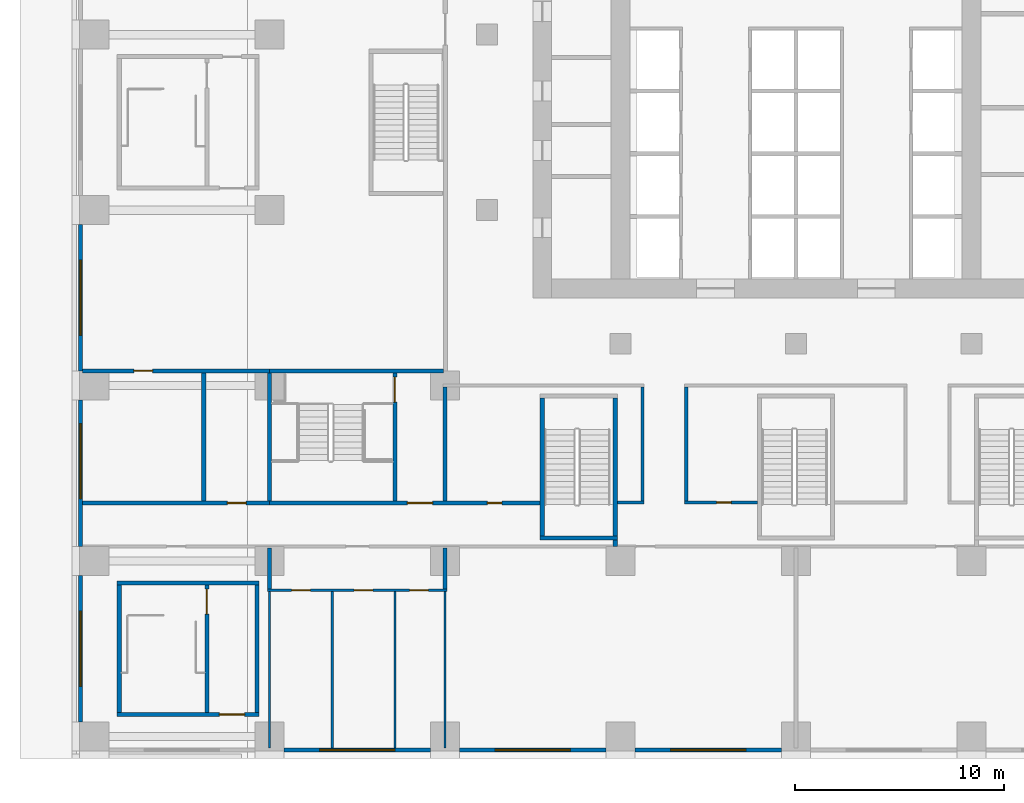
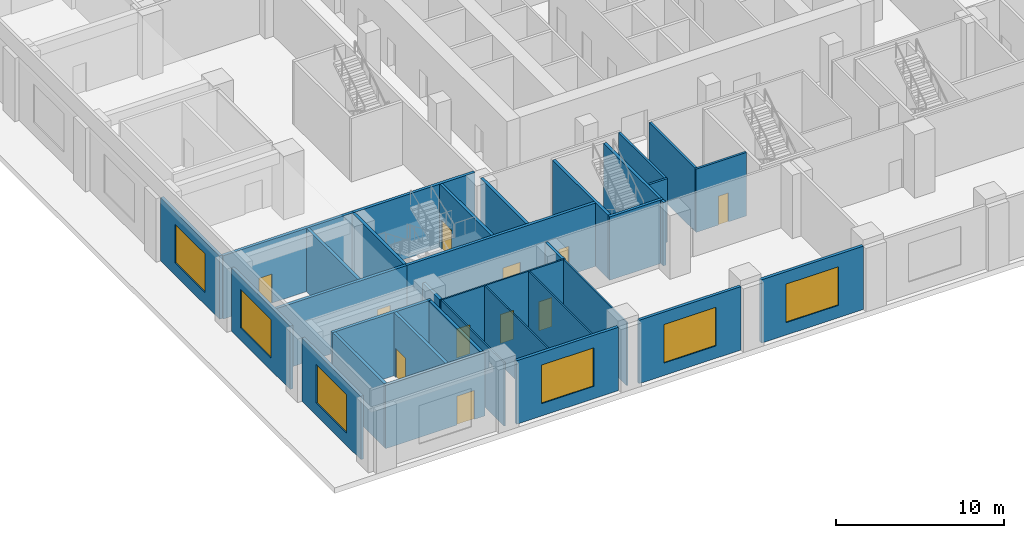
# One storey, part 8 of 29: 33 walls, 11 doors, 6 windows, 17 openings.
"""IFC4 building model written with IfcOpenShell, lengths in metres."""

import ifcopenshell
import ifcopenshell.guid

model = None  # the IFC model being written
_history = None  # IfcOwnerHistory: only IFC2X3 demands one
_inside = {}  # id of a spatial element -> (the spatial element, [elements in it])
_under = {}  # id of a project, library or spatial element -> (it, [spatial elements below it])
_declared = {}  # id of a project -> (the project, [libraries it declares])
_typed = {}  # id of a type object -> (the type object, [elements of that type])
_made_of = {}  # id of a material, layer set ... -> (it, [elements and type objects made of it])


def new_model(schema):
    """Start an empty IFC model of exactly this schema.

    Asked for "IFC4X3", IfcOpenShell would pick the latest addendum, in which some entities
    have other attributes; the version numbers below select the first issue.
    IFC2X3 requires an IfcOwnerHistory on every rooted entity: one is made here for all.
    """
    global model, _history
    if schema == "IFC4X3":
        model = ifcopenshell.file(schema_version=(4, 3, 0, 0))
    else:
        model = ifcopenshell.file(schema=schema)
    _inside.clear()
    _under.clear()
    _declared.clear()
    _typed.clear()
    _made_of.clear()
    _history = None
    if model.schema == "IFC2X3":
        org = make("IfcOrganization", Name="unknown")
        user = make(
            "IfcPersonAndOrganization",
            ThePerson=make("IfcPerson", FamilyName="unknown"),
            TheOrganization=org,
        )
        app = make(
            "IfcApplication",
            ApplicationDeveloper=org,
            Version="unknown",
            ApplicationFullName="unknown",
            ApplicationIdentifier="unknown",
        )
        _history = make(
            "IfcOwnerHistory",
            OwningUser=user,
            OwningApplication=app,
            ChangeAction="ADDED",
            CreationDate=0,
        )
    return model


def make(cls, **values):
    """One entity of the class cls with the attributes given. An attribute that is None is left unset."""
    return model.create_entity(
        cls, **{name: value for name, value in values.items() if value is not None}
    )


def rooted(cls, **values):
    """An entity with a GlobalId (a new one), such as an element, a storey or a relation."""
    return make(cls, GlobalId=ifcopenshell.guid.new(), OwnerHistory=_history, **values)


def si_unit(unit_type, name, prefix=None):
    """IfcSIUnit, for example si_unit("LENGTHUNIT", "METRE", prefix="MILLI")."""
    return make("IfcSIUnit", UnitType=unit_type, Prefix=prefix, Name=name)


def assignment(units):
    """IfcUnitAssignment: the units of a project."""
    return None if units is None else make("IfcUnitAssignment", Units=units)


def point(xyz):
    """IfcCartesianPoint."""
    return None if xyz is None else make("IfcCartesianPoint", Coordinates=xyz)


def direction(xyz):
    """IfcDirection."""
    return None if xyz is None else make("IfcDirection", DirectionRatios=xyz)


def frame(location, z_axis=None, x_axis=None):
    """IfcAxis2Placement3D, a coordinate frame: its origin and axes. An axis left out is left unset."""
    return make(
        "IfcAxis2Placement3D",
        Location=point(location),
        Axis=direction(z_axis),
        RefDirection=direction(x_axis),
    )


def frame_2d(location, x_axis=None):
    """IfcAxis2Placement2D, a coordinate frame in the plane: its origin and x axis."""
    return make(
        "IfcAxis2Placement2D", Location=point(location), RefDirection=direction(x_axis)
    )


def origin():
    """The frame at (0, 0, 0) with its axes left unset."""
    return frame((0.0, 0.0, 0.0))


def place(relative_to, where):
    """IfcLocalPlacement: puts the frame where relative to a parent placement (None: the world)."""
    return make(
        "IfcLocalPlacement", PlacementRelTo=relative_to, RelativePlacement=where
    )


def context(
    kind, dimensions, precision=None, world=None, true_north=None, identifier=None
):
    """IfcGeometricRepresentationContext, for example the 3D "Model" context."""
    return make(
        "IfcGeometricRepresentationContext",
        ContextIdentifier=identifier,
        ContextType=kind,
        CoordinateSpaceDimension=dimensions,
        Precision=precision,
        WorldCoordinateSystem=world,
        TrueNorth=true_north,
    )


def subcontext(parent, identifier, kind, view, scale=None):
    """IfcGeometricRepresentationSubContext, for example "Body" below "Model"."""
    return make(
        "IfcGeometricRepresentationSubContext",
        ContextIdentifier=identifier,
        ContextType=kind,
        ParentContext=parent,
        TargetScale=scale,
        TargetView=view,
    )


def project(units=None, contexts=None):
    """IfcProject with its units and contexts."""
    return rooted(
        "IfcProject",
        Name="project",
        RepresentationContexts=contexts,
        UnitsInContext=assignment(units),
    )


def spatial(cls, under=None, at=None, **own):
    """A site, building, storey or space (cls), placed at a placement, below another one or the project."""
    s = rooted(cls, ObjectPlacement=at, **own)
    if under is not None:
        _under.setdefault(under.id(), (under, []))[1].append(s)
    return s


def profile(cls, at=None, kind="AREA", **sizes):
    """A parametric profile (cls). Its sizes go by their IFC names, for example OverallWidth=200.0."""
    return make(cls, ProfileType=kind, Position=at, **sizes)


def rectangle(**sizes):
    """IfcRectangleProfileDef."""
    return profile("IfcRectangleProfileDef", **sizes)


def extrude(swept, where, along, depth):
    """IfcExtrudedAreaSolid: the profile swept, set in the frame where, extruded along a direction by depth."""
    return make(
        "IfcExtrudedAreaSolid",
        SweptArea=swept,
        Position=where,
        ExtrudedDirection=direction(along),
        Depth=depth,
    )


def shape(context_of_items, identifier, shape_type, items):
    """IfcShapeRepresentation: the items that make up one representation, for example the "Body"."""
    return make(
        "IfcShapeRepresentation",
        ContextOfItems=context_of_items,
        RepresentationIdentifier=identifier,
        RepresentationType=shape_type,
        Items=items,
    )


def material(Name=None, Category=None):
    """IfcMaterial."""
    return make("IfcMaterial", Name=Name, Category=Category)


def layer(
    of_material, thickness, ventilated=None, Name=None, Category=None, Priority=None
):
    """IfcMaterialLayer: one layer of a wall or slab, of a material (None: an air gap)."""
    return make(
        "IfcMaterialLayer",
        Material=of_material,
        LayerThickness=thickness,
        IsVentilated=ventilated,
        Name=Name,
        Category=Category,
        Priority=Priority,
    )


def layer_set(layers, Name=None):
    """IfcMaterialLayerSet."""
    return make("IfcMaterialLayerSet", MaterialLayers=layers, LayerSetName=Name)


def made_of(thing, what):
    """Note that an element or type object is made of a material, layer set ...; save() writes the relation."""
    if what is not None:
        _made_of.setdefault(what.id(), (what, []))[1].append(thing)
    return thing


def type_object(cls, material=None, **own):
    """A type object (cls), such as IfcWallType, which elements share."""
    return made_of(rooted(cls, **own), material)


def element(
    cls,
    number,
    at=None,
    inside=None,
    cuts=None,
    type_object=None,
    material=None,
    context=None,
    identifier="Body",
    shape_type=None,
    held_by="IfcProductDefinitionShape",
    body=None,
    shapes=None,
    **own,
):
    """One element of the class cls, such as IfcWall. Its Tag is "e" and its number.

    at: its placement. inside: the storey or other place that contains it. cuts: it is an
    opening in that element (IfcRelVoidsElement). A single representation is given by context,
    identifier, shape_type and body (its items); several are given by shapes. held_by: the class
    of the entity that holds the representations. save() writes the other relations.
    """
    e = rooted(cls, Tag="e%d" % number, ObjectPlacement=at, **own)
    if body is not None:
        shapes = [shape(context, identifier, shape_type, body)]
    if shapes is not None:
        e.Representation = make(held_by, Representations=shapes)
    if inside is not None:
        _inside.setdefault(inside.id(), (inside, []))[1].append(e)
    if cuts is not None:
        rooted(
            "IfcRelVoidsElement", RelatingBuildingElement=cuts, RelatedOpeningElement=e
        )
    if type_object is not None:
        _typed.setdefault(type_object.id(), (type_object, []))[1].append(e)
    return made_of(e, material)


def fill(opening, filler):
    """IfcRelFillsElement: the door or window that sits in an opening."""
    return rooted(
        "IfcRelFillsElement",
        RelatingOpeningElement=opening,
        RelatedBuildingElement=filler,
    )


def aggregate(whole, parts):
    """IfcRelAggregates: a whole, such as a stair, and the parts it consists of."""
    return rooted("IfcRelAggregates", RelatingObject=whole, RelatedObjects=parts)


def save(model, path):
    """Write the relations noted so far, then the file.

    IfcRelAggregates (storeys below a building ...), IfcRelContainedInSpatialStructure (elements
    in a storey), IfcRelDefinesByType, IfcRelAssociatesMaterial and IfcRelDeclares: one each for
    every whole, place, type object, material and project.
    """
    for whole, parts in _under.values():
        aggregate(whole, parts)
    for where, things in _inside.values():
        rooted(
            "IfcRelContainedInSpatialStructure",
            RelatedElements=things,
            RelatingStructure=where,
        )
    for kind, things in _typed.values():
        rooted("IfcRelDefinesByType", RelatedObjects=things, RelatingType=kind)
    for what, things in _made_of.values():
        rooted("IfcRelAssociatesMaterial", RelatedObjects=things, RelatingMaterial=what)
    for by, libraries in _declared.values():
        rooted("IfcRelDeclares", RelatingContext=by, RelatedDefinitions=libraries)
    model.write(path)


model = new_model("IFC4")

# Units and contexts
model_context = context("Model", 3, precision=1e-05, world=origin(), true_north=direction((0.0, 1.0)))
body_context = subcontext(model_context, "Body", "Model", "MODEL_VIEW")
ifc_project = project(units=[si_unit("LENGTHUNIT", "METRE"), si_unit("AREAUNIT", "SQUARE_METRE"), si_unit("VOLUMEUNIT", "CUBIC_METRE"), si_unit("PLANEANGLEUNIT", "RADIAN"), si_unit("MASSUNIT", "GRAM", prefix="KILO")], contexts=[model_context])

# Site, building, storey
site_placement = place(None, origin())
site = spatial("IfcSite", under=ifc_project, at=site_placement, CompositionType="ELEMENT")
building_placement = place(site_placement, origin())
building = spatial("IfcBuilding", under=site, at=building_placement, Name="Vermilion Ogive Tower", CompositionType="ELEMENT")
storey_placement = place(building_placement, frame((0.0, 0.0, 7.5)))
storey = spatial("IfcBuildingStorey", under=building, at=storey_placement, Name="L01", CompositionType="ELEMENT", Elevation=7.5)

# Wall, openings, doors
ifc_material_1 = material(Name="Gypsum board partition on steel studs", Category="steel")
ifc_layer_1 = layer(ifc_material_1, 0.10009765625)
ifc_layer_set_1 = layer_set([ifc_layer_1], Name="Partition 100 bath")
wall_type_1 = type_object("IfcWallType", Name="Partition 100 bath", PredefinedType="PARTITIONING", material=ifc_layer_set_1)
wall_1_placement = place(storey_placement, frame((-25.300048828125, -22.39990234375, 0.0), z_axis=(0.0, 0.0, 1.0), x_axis=(1.0, 0.0, 0.0)))
wall_1 = element("IfcWall", 1, at=wall_1_placement, inside=storey, type_object=wall_type_1, Name="L01-FS-W-W003", PredefinedType="PARTITIONING", context=body_context, shape_type="SweptSolid", body=[
    extrude(rectangle(XDim=8.60009765625, YDim=0.10009765625, at=frame_2d((4.300048828125, 0.0))), origin(), (0.0, 0.0, 1.0), 4.60009765625),
])
opening_1_placement = place(wall_1_placement, frame((1.150146484375, 0.0, 0.0)))
opening_1 = element("IfcOpeningElement", 2, at=opening_1_placement, cuts=wall_1, Name="Opening L01S032", PredefinedType="OPENING", context=body_context, shape_type="SweptSolid", body=[
    extrude(rectangle(XDim=0.89990234375, YDim=2.10009765625, at=frame_2d((0.449951171875, 1.050048828125))), frame((0.0, 0.06005859375, 0.0), z_axis=(0.0, -1.0, 0.0), x_axis=(1.0, 0.0, 0.0)), (0.0, 0.0, 1.0), 0.1201171875),
])
opening_2_placement = place(wall_1_placement, frame((4.150146484375, 0.0, 0.0)))
opening_2 = element("IfcOpeningElement", 3, at=opening_2_placement, cuts=wall_1, Name="Opening L01S033", PredefinedType="OPENING", context=body_context, shape_type="SweptSolid", body=[
    extrude(rectangle(XDim=0.89990234375, YDim=2.10009765625, at=frame_2d((0.449951171875, 1.050048828125))), frame((0.0, 0.06005859375, 0.0), z_axis=(0.0, -1.0, 0.0), x_axis=(1.0, 0.0, 0.0)), (0.0, 0.0, 1.0), 0.1201171875),
])
opening_3_placement = place(wall_1_placement, frame((6.800048828125, 0.0, 0.0)))
opening_3 = element("IfcOpeningElement", 4, at=opening_3_placement, cuts=wall_1, Name="Opening L01S034", PredefinedType="OPENING", context=body_context, shape_type="SweptSolid", body=[
    extrude(rectangle(XDim=0.89990234375, YDim=2.10009765625, at=frame_2d((0.449951171875, 1.050048828125))), frame((0.0, 0.06005859375, 0.0), z_axis=(0.0, -1.0, 0.0), x_axis=(1.0, 0.0, 0.0)), (0.0, 0.0, 1.0), 0.1201171875),
])
ifc_material_2 = material(Name="Timber door leaf", Category="wood")
door_type_1 = type_object("IfcDoorType", Name="Room door 900 x 2100 FD30", OperationType="SINGLE_SWING_LEFT", PredefinedType="DOOR", material=ifc_material_2)
door_1_placement = place(opening_1_placement, origin())
door_1 = element("IfcDoor", 5, at=door_1_placement, inside=storey, type_object=door_type_1, Name="L01-FS-D-D032", OperationType="SINGLE_SWING_RIGHT", OverallHeight=2.10009765625, OverallWidth=0.89990234375, PredefinedType="DOOR", context=body_context, shape_type="SweptSolid", body=[
    extrude(rectangle(XDim=0.89990234375, YDim=2.10009765625, at=frame_2d((0.449951171875, 1.050048828125))), frame((0.0, 0.02490234375, 0.0), z_axis=(0.0, -1.0, 0.0), x_axis=(1.0, 0.0, 0.0)), (0.0, 0.0, 1.0), 0.050048828125),
])
fill(opening_1, door_1)
door_2_placement = place(opening_2_placement, origin())
door_2 = element("IfcDoor", 6, at=door_2_placement, inside=storey, type_object=door_type_1, Name="L01-FS-D-D033", OperationType="SINGLE_SWING_RIGHT", OverallHeight=2.10009765625, OverallWidth=0.89990234375, PredefinedType="DOOR", context=body_context, shape_type="SweptSolid", body=[
    extrude(rectangle(XDim=0.89990234375, YDim=2.10009765625, at=frame_2d((0.449951171875, 1.050048828125))), frame((0.0, 0.02490234375, 0.0), z_axis=(0.0, -1.0, 0.0), x_axis=(1.0, 0.0, 0.0)), (0.0, 0.0, 1.0), 0.050048828125),
])
fill(opening_2, door_2)
door_3_placement = place(opening_3_placement, origin())
door_3 = element("IfcDoor", 7, at=door_3_placement, inside=storey, type_object=door_type_1, Name="L01-FS-D-D034", OperationType="SINGLE_SWING_RIGHT", OverallHeight=2.10009765625, OverallWidth=0.89990234375, PredefinedType="DOOR", context=body_context, shape_type="SweptSolid", body=[
    extrude(rectangle(XDim=0.89990234375, YDim=2.10009765625, at=frame_2d((0.449951171875, 1.050048828125))), frame((0.0, 0.02490234375, 0.0), z_axis=(0.0, -1.0, 0.0), x_axis=(1.0, 0.0, 0.0)), (0.0, 0.0, 1.0), 0.050048828125),
])
fill(opening_3, door_3)

# Walls
for number, where, z_axis, x_axis, name in (
    (8, (-25.199951171875, -29.949951171875, 0.0), (0.0, 0.0, 1.0), (0.0, 1.0, 0.0), "L01-FS-W-W050"),
    (9, (-22.199951171875, -29.949951171875, 0.0), (0.0, 0.0, 1.0), (0.0, 1.0, 0.0), "L01-FS-W-W053"),
    (10, (-19.199951171875, -29.949951171875, 0.0), (0.0, 0.0, 1.0), (0.0, 1.0, 0.0), "L01-FS-W-W057"),
    (11, (-16.800048828125, -29.949951171875, 0.0), (0.0, 0.0, 1.0), (0.0, 1.0, 0.0), "L01-FS-W-W059"),
):
    element("IfcWall", number, at=place(storey_placement, frame(where, z_axis=z_axis, x_axis=x_axis)), inside=storey, type_object=wall_type_1, Name=name, PredefinedType="PARTITIONING", context=body_context, shape_type="SweptSolid", body=[
        extrude(rectangle(XDim=7.5, YDim=0.10009765625, at=frame_2d((3.75, 0.0))), origin(), (0.0, 0.0, 1.0), 4.60009765625),
    ])
ifc_material_3 = material(Name="Gypsum board partition on steel studs", Category="steel")
ifc_layer_2 = layer(ifc_material_3, 0.14990234375)
ifc_layer_set_2 = layer_set([ifc_layer_2], Name="Partition 150 corridor")
wall_type_2 = type_object("IfcWallType", Name="Partition 150 corridor", PredefinedType="PARTITIONING", material=ifc_layer_set_2)
wall_2_placement = place(storey_placement, frame((-8.550048828125, -18.199951171875, 0.0), z_axis=(0.0, 0.0, 1.0), x_axis=(1.0, 0.0, 0.0)))
element("IfcWall", 12, at=wall_2_placement, inside=storey, type_object=wall_type_2, Name="L01-FS-W-W012", PredefinedType="PARTITIONING", context=body_context, shape_type="SweptSolid", body=[
    extrude(rectangle(XDim=1.275146484375, YDim=0.14990234375, at=frame_2d((0.6376953125, 0.0))), origin(), (0.0, 0.0, 1.0), 4.60009765625),
])

# Wall, opening, door
wall_3_placement = place(storey_placement, frame((-5.324951171875, -18.199951171875, 0.0), z_axis=(0.0, 0.0, 1.0), x_axis=(1.0, 0.0, 0.0)))
wall_3 = element("IfcWall", 13, at=wall_3_placement, inside=storey, type_object=wall_type_2, Name="L01-FS-W-W013", PredefinedType="PARTITIONING", context=body_context, shape_type="SweptSolid", body=[
    extrude(rectangle(XDim=3.474853515625, YDim=0.14990234375, at=frame_2d((1.7373046875, 0.0))), origin(), (0.0, 0.0, 1.0), 4.60009765625),
])
opening_4_placement = place(wall_3_placement, frame((1.52490234375, 0.0, 0.0)))
opening_4 = element("IfcOpeningElement", 14, at=opening_4_placement, cuts=wall_3, Name="Opening L01S062", PredefinedType="OPENING", context=body_context, shape_type="SweptSolid", body=[
    extrude(rectangle(XDim=0.699951171875, YDim=2.10009765625, at=frame_2d((0.35009765625, 1.050048828125))), frame((0.0, 0.0849609375, 0.0), z_axis=(0.0, -1.0, 0.0), x_axis=(1.0, 0.0, 0.0)), (0.0, 0.0, 1.0), 0.169921875),
])
ifc_material_4 = material(Name="Timber door leaf", Category="wood")
door_type_2 = type_object("IfcDoorType", Name="Room door 700 x 2100 FD30", OperationType="SINGLE_SWING_LEFT", PredefinedType="DOOR", material=ifc_material_4)
door_4_placement = place(opening_4_placement, origin())
door_4 = element("IfcDoor", 15, at=door_4_placement, inside=storey, type_object=door_type_2, Name="L01-FS-D-D062", OperationType="SINGLE_SWING_LEFT", OverallHeight=2.10009765625, OverallWidth=0.699951171875, PredefinedType="DOOR", context=body_context, shape_type="SweptSolid", body=[
    extrude(rectangle(XDim=0.699951171875, YDim=2.10009765625, at=frame_2d((0.35009765625, 1.050048828125))), frame((0.0, 0.02490234375, 0.0), z_axis=(0.0, -1.0, 0.0), x_axis=(1.0, 0.0, 0.0)), (0.0, 0.0, 1.0), 0.050048828125),
])
fill(opening_4, door_4)

# Walls
for number, where, z_axis, x_axis, name in (
    (16, (-7.35009765625, -18.125, 0.0), (0.0, 0.0, 1.0), (0.0, 1.0, 0.0), "L01-FS-W-W065"),
    (17, (-5.25, -18.125, 0.0), (0.0, 0.0, 1.0), (0.0, 1.0, 0.0), "L01-FS-W-W066"),
):
    element("IfcWall", number, at=place(storey_placement, frame(where, z_axis=z_axis, x_axis=x_axis)), inside=storey, type_object=wall_type_2, Name=name, PredefinedType="PARTITIONING", context=body_context, shape_type="SweptSolid", body=[
        extrude(rectangle(XDim=5.449951171875, YDim=0.14990234375, at=frame_2d((2.72509765625, 0.0))), origin(), (0.0, 0.0, 1.0), 4.60009765625),
    ])

# Wall, opening, door
ifc_material_5 = material(Name="Gypsum board partition on steel studs", Category="steel")
ifc_layer_3 = layer(ifc_material_5, 0.199951171875)
ifc_layer_set_3 = layer_set([ifc_layer_3], Name="Partition 200 party")
wall_type_3 = type_object("IfcWallType", Name="Partition 200 party", PredefinedType="PARTITIONING", material=ifc_layer_set_3)
wall_4_placement = place(storey_placement, frame((-32.5, -28.35009765625, 0.0), z_axis=(0.0, 0.0, 1.0), x_axis=(1.0, 0.0, 0.0)))
wall_4 = element("IfcWall", 18, at=wall_4_placement, inside=storey, type_object=wall_type_3, Name="L01-FS-W-W001", PredefinedType="PARTITIONING", context=body_context, shape_type="SweptSolid", body=[
    extrude(rectangle(XDim=6.800048828125, YDim=0.199951171875, at=frame_2d((3.39990234375, 0.0))), origin(), (0.0, 0.0, 1.0), 4.60009765625),
])
opening_5_placement = place(wall_4_placement, frame((4.89990234375, 0.0, 0.0)))
opening_5 = element("IfcOpeningElement", 19, at=opening_5_placement, cuts=wall_4, Name="Opening L01S020", PredefinedType="OPENING", context=body_context, shape_type="SweptSolid", body=[
    extrude(rectangle(XDim=1.199951171875, YDim=2.10009765625, at=frame_2d((0.60009765625, 1.050048828125))), frame((0.0, 0.10986328125, 0.0), z_axis=(0.0, -1.0, 0.0), x_axis=(1.0, 0.0, 0.0)), (0.0, 0.0, 1.0), 0.219970703125),
])
ifc_material_6 = material(Name="Timber door leaf", Category="wood")
door_type_3 = type_object("IfcDoorType", Name="Stair door 1200 x 2100 FD60S", OperationType="SINGLE_SWING_LEFT", PredefinedType="DOOR", material=ifc_material_6)
door_5_placement = place(opening_5_placement, origin())
door_5 = element("IfcDoor", 20, at=door_5_placement, inside=storey, type_object=door_type_3, Name="L01-FS-D-D020", OperationType="SINGLE_SWING_LEFT", OverallHeight=2.10009765625, OverallWidth=1.199951171875, PredefinedType="DOOR", context=body_context, shape_type="SweptSolid", body=[
    extrude(rectangle(XDim=1.199951171875, YDim=2.10009765625, at=frame_2d((0.60009765625, 1.050048828125))), frame((0.0, 0.02490234375, 0.0), z_axis=(0.0, -1.0, 0.0), x_axis=(1.0, 0.0, 0.0)), (0.0, 0.0, 1.0), 0.050048828125),
])
fill(opening_5, door_5)

# Walls
wall_5_placement = place(storey_placement, frame((-32.5, -22.050048828125, 0.0), z_axis=(0.0, 0.0, 1.0), x_axis=(1.0, 0.0, 0.0)))
element("IfcWall", 21, at=wall_5_placement, inside=storey, type_object=wall_type_3, Name="L01-FS-W-W005", PredefinedType="PARTITIONING", context=body_context, shape_type="SweptSolid", body=[
    extrude(rectangle(XDim=6.800048828125, YDim=0.199951171875, at=frame_2d((3.39990234375, 0.0))), origin(), (0.0, 0.0, 1.0), 4.60009765625),
])
wall_6_placement = place(storey_placement, frame((-32.39990234375, -28.25, 0.0), z_axis=(0.0, 0.0, 1.0), x_axis=(0.0, 1.0, 0.0)))
element("IfcWall", 22, at=wall_6_placement, inside=storey, type_object=wall_type_3, Name="L01-FS-W-W041", PredefinedType="PARTITIONING", context=body_context, shape_type="SweptSolid", body=[
    extrude(rectangle(XDim=6.10009765625, YDim=0.199951171875, at=frame_2d((3.050048828125, 0.0))), origin(), (0.0, 0.0, 1.0), 4.60009765625),
])
wall_7_placement = place(storey_placement, frame((-28.35009765625, -18.125, 0.0), z_axis=(0.0, 0.0, 1.0), x_axis=(0.0, 1.0, 0.0)))
element("IfcWall", 23, at=wall_7_placement, inside=storey, type_object=wall_type_3, Name="L01-FS-W-W043", PredefinedType="PARTITIONING", context=body_context, shape_type="SweptSolid", body=[
    extrude(rectangle(XDim=6.125, YDim=0.199951171875, at=frame_2d((3.0625, 0.0))), origin(), (0.0, 0.0, 1.0), 4.60009765625),
])

# Wall, opening, door
wall_8_placement = place(storey_placement, frame((-28.199951171875, -28.25, 0.0), z_axis=(0.0, 0.0, 1.0), x_axis=(0.0, 1.0, 0.0)))
wall_8 = element("IfcWall", 24, at=wall_8_placement, inside=storey, type_object=wall_type_3, Name="L01-FS-W-W044", PredefinedType="PARTITIONING", context=body_context, shape_type="SweptSolid", body=[
    extrude(rectangle(XDim=6.10009765625, YDim=0.199951171875, at=frame_2d((3.050048828125, 0.0))), origin(), (0.0, 0.0, 1.0), 4.60009765625),
])
opening_6_placement = place(wall_8_placement, frame((4.7001953125, 0.0, 0.0)))
opening_6 = element("IfcOpeningElement", 25, at=opening_6_placement, cuts=wall_8, Name="Opening L01S010", PredefinedType="OPENING", context=body_context, shape_type="SweptSolid", body=[
    extrude(rectangle(XDim=1.199951171875, YDim=2.10009765625, at=frame_2d((0.60009765625, 1.050048828125))), frame((0.0, 0.10986328125, 0.0), z_axis=(0.0, -1.0, 0.0), x_axis=(1.0, 0.0, 0.0)), (0.0, 0.0, 1.0), 0.219970703125),
])
door_6_placement = place(opening_6_placement, origin())
door_6 = element("IfcDoor", 26, at=door_6_placement, inside=storey, type_object=door_type_3, Name="L01-FS-D-D010", OperationType="DOUBLE_DOOR_SINGLE_SWING", OverallHeight=2.10009765625, OverallWidth=1.199951171875, PredefinedType="DOOR", context=body_context, shape_type="SweptSolid", body=[
    extrude(rectangle(XDim=1.199951171875, YDim=2.10009765625, at=frame_2d((0.60009765625, 1.050048828125))), frame((0.0, 0.02490234375, 0.0), z_axis=(0.0, -1.0, 0.0), x_axis=(1.0, 0.0, 0.0)), (0.0, 0.0, 1.0), 0.050048828125),
])
fill(opening_6, door_6)

# Walls
wall_9_placement = place(storey_placement, frame((-25.800048828125, -28.25, 0.0), z_axis=(0.0, 0.0, 1.0), x_axis=(0.0, 1.0, 0.0)))
element("IfcWall", 27, at=wall_9_placement, inside=storey, type_object=wall_type_3, Name="L01-FS-W-W047", PredefinedType="PARTITIONING", context=body_context, shape_type="SweptSolid", body=[
    extrude(rectangle(XDim=6.10009765625, YDim=0.199951171875, at=frame_2d((3.050048828125, 0.0))), origin(), (0.0, 0.0, 1.0), 4.60009765625),
])
for number, where, z_axis, x_axis, name in (
    (28, (-25.199951171875, -22.35009765625, 0.0), (0.0, 0.0, 1.0), (0.0, 1.0, 0.0), "L01-FS-W-W051"),
    (29, (-16.800048828125, -22.35009765625, 0.0), (0.0, 0.0, 1.0), (0.0, 1.0, 0.0), "L01-FS-W-W060"),
):
    element("IfcWall", number, at=place(storey_placement, frame(where, z_axis=z_axis, x_axis=x_axis)), inside=storey, type_object=wall_type_3, Name=name, PredefinedType="PARTITIONING", context=body_context, shape_type="SweptSolid", body=[
        extrude(rectangle(XDim=1.97509765625, YDim=0.199951171875, at=frame_2d((0.987548828125, 0.0))), origin(), (0.0, 0.0, 1.0), 4.60009765625),
    ])
wall_10_placement = place(storey_placement, frame((-16.800048828125, -18.125, 0.0), z_axis=(0.0, 0.0, 1.0), x_axis=(0.0, 1.0, 0.0)))
element("IfcWall", 30, at=wall_10_placement, inside=storey, type_object=wall_type_3, Name="L01-FS-W-W061", PredefinedType="PARTITIONING", context=body_context, shape_type="SweptSolid", body=[
    extrude(rectangle(XDim=5.449951171875, YDim=0.199951171875, at=frame_2d((2.72509765625, 0.0))), origin(), (0.0, 0.0, 1.0), 4.60009765625),
])

# Wall, openings, doors
ifc_material_7 = material(Name="Concrete B60", Category="concrete")
ifc_layer_4 = layer(ifc_material_7, 0.199951171875)
ifc_layer_set_4 = layer_set([ifc_layer_4], Name="Stair shaft wall 200 Concrete B60")
wall_type_4 = type_object("IfcWallType", Name="Stair shaft wall 200 Concrete B60", PredefinedType="SOLIDWALL", material=ifc_layer_set_4)
wall_11_placement = place(storey_placement, frame((-25.199951171875, -18.224853515625, 0.0), z_axis=(0.0, 0.0, 1.0), x_axis=(1.0, 0.0, 0.0)))
wall_11 = element("IfcWall", 31, at=wall_11_placement, inside=storey, type_object=wall_type_4, Name="L01-FS-W-W011", PredefinedType="SOLIDWALL", context=body_context, shape_type="SweptSolid", body=[
    extrude(rectangle(XDim=12.949951171875, YDim=0.199951171875, at=frame_2d((6.47509765625, 0.0))), origin(), (0.0, 0.0, 1.0), 4.60009765625),
])
opening_7_placement = place(wall_11_placement, frame((6.599853515625, 0.0, 0.0)))
opening_7 = element("IfcOpeningElement", 32, at=opening_7_placement, cuts=wall_11, Name="Opening L01S015", PredefinedType="OPENING", context=body_context, shape_type="SweptSolid", body=[
    extrude(rectangle(XDim=1.199951171875, YDim=2.10009765625, at=frame_2d((0.60009765625, 1.050048828125))), frame((0.0, 0.10986328125, 0.0), z_axis=(0.0, -1.0, 0.0), x_axis=(1.0, 0.0, 0.0)), (0.0, 0.0, 1.0), 0.219970703125),
])
opening_8_placement = place(wall_11_placement, frame((10.425048828125, 0.0, 0.0)))
opening_8 = element("IfcOpeningElement", 33, at=opening_8_placement, cuts=wall_11, Name="Opening L01S061", PredefinedType="OPENING", context=body_context, shape_type="SweptSolid", body=[
    extrude(rectangle(XDim=0.699951171875, YDim=2.10009765625, at=frame_2d((0.35009765625, 1.050048828125))), frame((0.0, 0.10986328125, 0.0), z_axis=(0.0, -1.0, 0.0), x_axis=(1.0, 0.0, 0.0)), (0.0, 0.0, 1.0), 0.219970703125),
])
door_7_placement = place(opening_8_placement, origin())
door_7 = element("IfcDoor", 34, at=door_7_placement, inside=storey, type_object=door_type_2, Name="L01-FS-D-D061", OperationType="SINGLE_SWING_RIGHT", OverallHeight=2.10009765625, OverallWidth=0.699951171875, PredefinedType="DOOR", context=body_context, shape_type="SweptSolid", body=[
    extrude(rectangle(XDim=0.699951171875, YDim=2.10009765625, at=frame_2d((0.35009765625, 1.050048828125))), frame((0.0, 0.02490234375, 0.0), z_axis=(0.0, -1.0, 0.0), x_axis=(1.0, 0.0, 0.0)), (0.0, 0.0, 1.0), 0.050048828125),
])
fill(opening_8, door_7)
door_8_placement = place(opening_7_placement, origin())
door_8 = element("IfcDoor", 35, at=door_8_placement, inside=storey, type_object=door_type_3, Name="L01-FS-D-D015", OperationType="SINGLE_SWING_LEFT", OverallHeight=2.10009765625, OverallWidth=1.199951171875, PredefinedType="DOOR", context=body_context, shape_type="SweptSolid", body=[
    extrude(rectangle(XDim=1.199951171875, YDim=2.10009765625, at=frame_2d((0.60009765625, 1.050048828125))), frame((0.0, 0.02490234375, 0.0), z_axis=(0.0, -1.0, 0.0), x_axis=(1.0, 0.0, 0.0)), (0.0, 0.0, 1.0), 0.050048828125),
])
fill(opening_7, door_8)

# Walls
wall_12_placement = place(storey_placement, frame((-25.199951171875, -11.89990234375, 0.0), z_axis=(0.0, 0.0, 1.0), x_axis=(1.0, 0.0, 0.0)))
element("IfcWall", 36, at=wall_12_placement, inside=storey, type_object=wall_type_4, Name="L01-FS-W-W021", PredefinedType="SOLIDWALL", context=body_context, shape_type="SweptSolid", body=[
    extrude(rectangle(XDim=8.324951171875, YDim=0.199951171875, at=frame_2d((4.16259765625, 0.0))), origin(), (0.0, 0.0, 1.0), 4.60009765625),
])
wall_13_placement = place(storey_placement, frame((-25.199951171875, -18.125, 0.0), z_axis=(0.0, 0.0, 1.0), x_axis=(0.0, 1.0, 0.0)))
element("IfcWall", 37, at=wall_13_placement, inside=storey, type_object=wall_type_4, Name="L01-FS-W-W052", PredefinedType="SOLIDWALL", context=body_context, shape_type="SweptSolid", body=[
    extrude(rectangle(XDim=6.125, YDim=0.199951171875, at=frame_2d((3.0625, 0.0))), origin(), (0.0, 0.0, 1.0), 4.60009765625),
])

# Wall, opening, door
wall_14_placement = place(storey_placement, frame((-19.199951171875, -18.125, 0.0), z_axis=(0.0, 0.0, 1.0), x_axis=(0.0, 1.0, 0.0)))
wall_14 = element("IfcWall", 38, at=wall_14_placement, inside=storey, type_object=wall_type_4, Name="L01-FS-W-W058", PredefinedType="SOLIDWALL", context=body_context, shape_type="SweptSolid", body=[
    extrude(rectangle(XDim=6.125, YDim=0.199951171875, at=frame_2d((3.0625, 0.0))), origin(), (0.0, 0.0, 1.0), 4.60009765625),
])
opening_9_placement = place(wall_14_placement, frame((4.72509765625, 0.0, 0.0)))
opening_9 = element("IfcOpeningElement", 39, at=opening_9_placement, cuts=wall_14, Name="Opening L01S004", PredefinedType="OPENING", context=body_context, shape_type="SweptSolid", body=[
    extrude(rectangle(XDim=1.199951171875, YDim=2.10009765625, at=frame_2d((0.60009765625, 1.050048828125))), frame((0.0, 0.10986328125, 0.0), z_axis=(0.0, -1.0, 0.0), x_axis=(1.0, 0.0, 0.0)), (0.0, 0.0, 1.0), 0.219970703125),
])
door_9_placement = place(opening_9_placement, origin())
door_9 = element("IfcDoor", 40, at=door_9_placement, inside=storey, type_object=door_type_3, Name="L01-FS-D-D004", OperationType="DOUBLE_DOOR_SINGLE_SWING", OverallHeight=2.10009765625, OverallWidth=1.199951171875, PredefinedType="DOOR", context=body_context, shape_type="SweptSolid", body=[
    extrude(rectangle(XDim=1.199951171875, YDim=2.10009765625, at=frame_2d((0.60009765625, 1.050048828125))), frame((0.0, 0.02490234375, 0.0), z_axis=(0.0, -1.0, 0.0), x_axis=(1.0, 0.0, 0.0)), (0.0, 0.0, 1.0), 0.050048828125),
])
fill(opening_9, door_9)

# Walls
wall_15_placement = place(storey_placement, frame((-12.25, -19.89990234375, 0.0), z_axis=(0.0, 0.0, 1.0), x_axis=(1.0, 0.0, 0.0)))
element("IfcWall", 41, at=wall_15_placement, inside=storey, type_object=wall_type_4, Name="L01-SW-ST3-S1", PredefinedType="SOLIDWALL", context=body_context, shape_type="SweptSolid", body=[
    extrude(rectangle(XDim=3.699951171875, YDim=0.199951171875, at=frame_2d((1.85009765625, 0.0))), origin(), (0.0, 0.0, 1.0), 4.60009765625),
])
wall_16_placement = place(storey_placement, frame((-12.14990234375, -19.800048828125, 0.0), z_axis=(0.0, 0.0, 1.0), x_axis=(0.0, 1.0, 0.0)))
element("IfcWall", 42, at=wall_16_placement, inside=storey, type_object=wall_type_4, Name="L01-SW-ST3-W1", PredefinedType="SOLIDWALL", context=body_context, shape_type="SweptSolid", body=[
    extrude(rectangle(XDim=6.60009765625, YDim=0.199951171875, at=frame_2d((3.300048828125, 0.0))), origin(), (0.0, 0.0, 1.0), 4.60009765625),
])
wall_17_placement = place(storey_placement, frame((-8.64990234375, -20.300048828125, 0.0), z_axis=(0.0, 0.0, 1.0), x_axis=(0.0, 1.0, 0.0)))
element("IfcWall", 43, at=wall_17_placement, inside=storey, type_object=wall_type_4, Name="L01-SW-ST3-E1", PredefinedType="SOLIDWALL", context=body_context, shape_type="SweptSolid", body=[
    extrude(rectangle(XDim=7.10009765625, YDim=0.199951171875, at=frame_2d((3.550048828125, 0.0))), origin(), (0.0, 0.0, 1.0), 4.60009765625),
])

# Wall, opening, door
wall_18_placement = place(storey_placement, frame((-34.14990234375, -18.224853515625, 0.0), z_axis=(0.0, 0.0, 1.0), x_axis=(1.0, 0.0, 0.0)))
wall_18 = element("IfcWall", 44, at=wall_18_placement, inside=storey, type_object=wall_type_4, Name="L01-FS-W-W011-A", PredefinedType="SOLIDWALL", context=body_context, shape_type="SweptSolid", body=[
    extrude(rectangle(XDim=8.949951171875, YDim=0.199951171875, at=frame_2d((4.47509765625, 0.0))), origin(), (0.0, 0.0, 1.0), 4.60009765625),
])
opening_10_placement = place(wall_18_placement, frame((6.9248046875, 0.0, 0.0)))
opening_10 = element("IfcOpeningElement", 45, at=opening_10_placement, cuts=wall_18, Name="Opening L01S030", PredefinedType="OPENING", context=body_context, shape_type="SweptSolid", body=[
    extrude(rectangle(XDim=0.89990234375, YDim=2.10009765625, at=frame_2d((0.449951171875, 1.050048828125))), frame((0.0, 0.10986328125, 0.0), z_axis=(0.0, -1.0, 0.0), x_axis=(1.0, 0.0, 0.0)), (0.0, 0.0, 1.0), 0.219970703125),
])
door_10_placement = place(opening_10_placement, origin())
door_10 = element("IfcDoor", 46, at=door_10_placement, inside=storey, type_object=door_type_1, Name="L01-FS-D-D030", OperationType="SINGLE_SWING_LEFT", OverallHeight=2.10009765625, OverallWidth=0.89990234375, PredefinedType="DOOR", context=body_context, shape_type="SweptSolid", body=[
    extrude(rectangle(XDim=0.89990234375, YDim=2.10009765625, at=frame_2d((0.449951171875, 1.050048828125))), frame((0.0, 0.02490234375, 0.0), z_axis=(0.0, -1.0, 0.0), x_axis=(1.0, 0.0, 0.0)), (0.0, 0.0, 1.0), 0.050048828125),
])
fill(opening_10, door_10)

wall_19_placement = place(storey_placement, frame((-34.14990234375, -11.89990234375, 0.0), z_axis=(0.0, 0.0, 1.0), x_axis=(1.0, 0.0, 0.0)))
wall_19 = element("IfcWall", 47, at=wall_19_placement, inside=storey, type_object=wall_type_4, Name="L01-FS-W-W021-A", PredefinedType="SOLIDWALL", context=body_context, shape_type="SweptSolid", body=[
    extrude(rectangle(XDim=8.949951171875, YDim=0.199951171875, at=frame_2d((4.47509765625, 0.0))), origin(), (0.0, 0.0, 1.0), 4.60009765625),
])
opening_11_placement = place(wall_19_placement, frame((2.449951171875, 0.0, 0.0)))
opening_11 = element("IfcOpeningElement", 48, at=opening_11_placement, cuts=wall_19, Name="Opening L01S029", PredefinedType="OPENING", context=body_context, shape_type="SweptSolid", body=[
    extrude(rectangle(XDim=0.89990234375, YDim=2.10009765625, at=frame_2d((0.449951171875, 1.050048828125))), frame((0.0, 0.10986328125, 0.0), z_axis=(0.0, -1.0, 0.0), x_axis=(1.0, 0.0, 0.0)), (0.0, 0.0, 1.0), 0.219970703125),
])
door_11_placement = place(opening_11_placement, origin())
door_11 = element("IfcDoor", 49, at=door_11_placement, inside=storey, type_object=door_type_1, Name="L01-FS-D-D029", OperationType="SINGLE_SWING_LEFT", OverallHeight=2.10009765625, OverallWidth=0.89990234375, PredefinedType="DOOR", context=body_context, shape_type="SweptSolid", body=[
    extrude(rectangle(XDim=0.89990234375, YDim=2.10009765625, at=frame_2d((0.449951171875, 1.050048828125))), frame((0.0, 0.02490234375, 0.0), z_axis=(0.0, -1.0, 0.0), x_axis=(1.0, 0.0, 0.0)), (0.0, 0.0, 1.0), 0.050048828125),
])
fill(opening_11, door_11)

# Wall, opening, window
ifc_material_8 = material(Name="Aluminium window wall framing", Category="aluminium")
ifc_layer_5 = layer(ifc_material_8, 0.199951171875)
ifc_layer_set_5 = layer_set([ifc_layer_5], Name="Window wall")
wall_type_5 = type_object("IfcWallType", Name="Window wall", PredefinedType="STANDARD", material=ifc_layer_set_5)
wall_20_placement = place(storey_placement, frame((-24.5, -30.050048828125, 0.0), z_axis=(0.0, 0.0, 1.0), x_axis=(1.0, 0.0, 0.0)))
wall_20 = element("IfcWall", 50, at=wall_20_placement, inside=storey, type_object=wall_type_5, Name="Window wall S2", PredefinedType="STANDARD", context=body_context, shape_type="SweptSolid", body=[
    extrude(rectangle(XDim=7.0, YDim=0.199951171875, at=frame_2d((3.5, 0.0))), origin(), (0.0, 0.0, 1.0), 4.60009765625),
])
opening_12_placement = place(wall_20_placement, frame((1.699951171875, 0.0, 0.89990234375)))
opening_12 = element("IfcOpeningElement", 51, at=opening_12_placement, cuts=wall_20, Name="Opening P-S2", PredefinedType="OPENING", context=body_context, shape_type="SweptSolid", body=[
    extrude(rectangle(XDim=3.60009765625, YDim=2.800048828125, at=frame_2d((1.800048828125, 1.39990234375))), frame((0.0, 0.10986328125, 0.0), z_axis=(0.0, -1.0, 0.0), x_axis=(1.0, 0.0, 0.0)), (0.0, 0.0, 1.0), 0.219970703125),
])
ifc_material_9 = material(Name="Aluminium framed double glazing", Category="aluminium")
window_type = type_object("IfcWindowType", Name="Podium window P 3600x2800 sill 900", PartitioningType="SINGLE_PANEL", PredefinedType="WINDOW", material=ifc_material_9)
window_1_placement = place(opening_12_placement, origin())
window_1 = element("IfcWindow", 52, at=window_1_placement, inside=storey, type_object=window_type, Name="Window S2", OverallHeight=2.800048828125, OverallWidth=3.60009765625, PartitioningType="SINGLE_PANEL", PredefinedType="WINDOW", context=body_context, shape_type="SweptSolid", body=[
    extrude(rectangle(XDim=3.60009765625, YDim=2.800048828125, at=frame_2d((1.800048828125, 1.39990234375))), frame((0.0, 0.030029296875, 0.0), z_axis=(0.0, -1.0, 0.0), x_axis=(1.0, 0.0, 0.0)), (0.0, 0.0, 1.0), 0.06005859375),
])
fill(opening_12, window_1)

wall_21_placement = place(storey_placement, frame((-16.10009765625, -30.050048828125, 0.0), z_axis=(0.0, 0.0, 1.0), x_axis=(1.0, 0.0, 0.0)))
wall_21 = element("IfcWall", 53, at=wall_21_placement, inside=storey, type_object=wall_type_5, Name="Window wall S3", PredefinedType="STANDARD", context=body_context, shape_type="SweptSolid", body=[
    extrude(rectangle(XDim=7.0, YDim=0.199951171875, at=frame_2d((3.5, 0.0))), origin(), (0.0, 0.0, 1.0), 4.60009765625),
])
opening_13_placement = place(wall_21_placement, frame((1.699951171875, 0.0, 0.89990234375)))
opening_13 = element("IfcOpeningElement", 54, at=opening_13_placement, cuts=wall_21, Name="Opening P-S3", PredefinedType="OPENING", context=body_context, shape_type="SweptSolid", body=[
    extrude(rectangle(XDim=3.60009765625, YDim=2.800048828125, at=frame_2d((1.800048828125, 1.39990234375))), frame((0.0, 0.10986328125, 0.0), z_axis=(0.0, -1.0, 0.0), x_axis=(1.0, 0.0, 0.0)), (0.0, 0.0, 1.0), 0.219970703125),
])
window_2_placement = place(opening_13_placement, origin())
window_2 = element("IfcWindow", 55, at=window_2_placement, inside=storey, type_object=window_type, Name="Window S3", OverallHeight=2.800048828125, OverallWidth=3.60009765625, PartitioningType="SINGLE_PANEL", PredefinedType="WINDOW", context=body_context, shape_type="SweptSolid", body=[
    extrude(rectangle(XDim=3.60009765625, YDim=2.800048828125, at=frame_2d((1.800048828125, 1.39990234375))), frame((0.0, 0.030029296875, 0.0), z_axis=(0.0, -1.0, 0.0), x_axis=(1.0, 0.0, 0.0)), (0.0, 0.0, 1.0), 0.06005859375),
])
fill(opening_13, window_2)

wall_22_placement = place(storey_placement, frame((-7.699951171875, -30.050048828125, 0.0), z_axis=(0.0, 0.0, 1.0), x_axis=(1.0, 0.0, 0.0)))
wall_22 = element("IfcWall", 56, at=wall_22_placement, inside=storey, type_object=wall_type_5, Name="Window wall S4", PredefinedType="STANDARD", context=body_context, shape_type="SweptSolid", body=[
    extrude(rectangle(XDim=7.0, YDim=0.199951171875, at=frame_2d((3.5, 0.0))), origin(), (0.0, 0.0, 1.0), 4.60009765625),
])
opening_14_placement = place(wall_22_placement, frame((1.699951171875, 0.0, 0.89990234375)))
opening_14 = element("IfcOpeningElement", 57, at=opening_14_placement, cuts=wall_22, Name="Opening P-S4", PredefinedType="OPENING", context=body_context, shape_type="SweptSolid", body=[
    extrude(rectangle(XDim=3.60009765625, YDim=2.800048828125, at=frame_2d((1.800048828125, 1.39990234375))), frame((0.0, 0.10986328125, 0.0), z_axis=(0.0, -1.0, 0.0), x_axis=(1.0, 0.0, 0.0)), (0.0, 0.0, 1.0), 0.219970703125),
])
window_3_placement = place(opening_14_placement, origin())
window_3 = element("IfcWindow", 58, at=window_3_placement, inside=storey, type_object=window_type, Name="Window S4", OverallHeight=2.800048828125, OverallWidth=3.60009765625, PartitioningType="SINGLE_PANEL", PredefinedType="WINDOW", context=body_context, shape_type="SweptSolid", body=[
    extrude(rectangle(XDim=3.60009765625, YDim=2.800048828125, at=frame_2d((1.800048828125, 1.39990234375))), frame((0.0, 0.030029296875, 0.0), z_axis=(0.0, -1.0, 0.0), x_axis=(1.0, 0.0, 0.0)), (0.0, 0.0, 1.0), 0.06005859375),
])
fill(opening_14, window_3)

wall_23_placement = place(storey_placement, frame((-34.25, -4.89990234375, 0.0), z_axis=(0.0, 0.0, 1.0), x_axis=(0.0, -1.0, 0.0)))
wall_23 = element("IfcWall", 59, at=wall_23_placement, inside=storey, type_object=wall_type_5, Name="Window wall W5", PredefinedType="STANDARD", context=body_context, shape_type="SweptSolid", body=[
    extrude(rectangle(XDim=7.0, YDim=0.199951171875, at=frame_2d((3.5, 0.0))), origin(), (0.0, 0.0, 1.0), 4.60009765625),
])
opening_15_placement = place(wall_23_placement, frame((1.699951171875, 0.0, 0.89990234375)))
opening_15 = element("IfcOpeningElement", 60, at=opening_15_placement, cuts=wall_23, Name="Opening P-W5", PredefinedType="OPENING", context=body_context, shape_type="SweptSolid", body=[
    extrude(rectangle(XDim=3.60009765625, YDim=2.800048828125, at=frame_2d((1.800048828125, 1.39990234375))), frame((0.0, 0.10986328125, 0.0), z_axis=(0.0, -1.0, 0.0), x_axis=(1.0, 0.0, 0.0)), (0.0, 0.0, 1.0), 0.219970703125),
])
window_4_placement = place(opening_15_placement, origin())
window_4 = element("IfcWindow", 61, at=window_4_placement, inside=storey, type_object=window_type, Name="Window W5", OverallHeight=2.800048828125, OverallWidth=3.60009765625, PartitioningType="SINGLE_PANEL", PredefinedType="WINDOW", context=body_context, shape_type="SweptSolid", body=[
    extrude(rectangle(XDim=3.60009765625, YDim=2.800048828125, at=frame_2d((1.800048828125, 1.39990234375))), frame((0.0, 0.030029296875, 0.0), z_axis=(0.0, -1.0, 0.0), x_axis=(1.0, 0.0, 0.0)), (0.0, 0.0, 1.0), 0.06005859375),
])
fill(opening_15, window_4)

wall_24_placement = place(storey_placement, frame((-34.25, -13.300048828125, 0.0), z_axis=(0.0, 0.0, 1.0), x_axis=(0.0, -1.0, 0.0)))
wall_24 = element("IfcWall", 62, at=wall_24_placement, inside=storey, type_object=wall_type_5, Name="Window wall W6", PredefinedType="STANDARD", context=body_context, shape_type="SweptSolid", body=[
    extrude(rectangle(XDim=7.0, YDim=0.199951171875, at=frame_2d((3.5, 0.0))), origin(), (0.0, 0.0, 1.0), 4.60009765625),
])
opening_16_placement = place(wall_24_placement, frame((1.1201171875, 0.0, 0.89990234375)))
opening_16 = element("IfcOpeningElement", 63, at=opening_16_placement, cuts=wall_24, Name="Opening P-W6", PredefinedType="OPENING", context=body_context, shape_type="SweptSolid", body=[
    extrude(rectangle(XDim=3.60009765625, YDim=2.800048828125, at=frame_2d((1.800048828125, 1.39990234375))), frame((0.0, 0.10986328125, 0.0), z_axis=(0.0, -1.0, 0.0), x_axis=(1.0, 0.0, 0.0)), (0.0, 0.0, 1.0), 0.219970703125),
])
window_5_placement = place(opening_16_placement, origin())
window_5 = element("IfcWindow", 64, at=window_5_placement, inside=storey, type_object=window_type, Name="Window W6", OverallHeight=2.800048828125, OverallWidth=3.60009765625, PartitioningType="SINGLE_PANEL", PredefinedType="WINDOW", context=body_context, shape_type="SweptSolid", body=[
    extrude(rectangle(XDim=3.60009765625, YDim=2.800048828125, at=frame_2d((1.800048828125, 1.39990234375))), frame((0.0, 0.030029296875, 0.0), z_axis=(0.0, -1.0, 0.0), x_axis=(1.0, 0.0, 0.0)), (0.0, 0.0, 1.0), 0.06005859375),
])
fill(opening_16, window_5)

wall_25_placement = place(storey_placement, frame((-34.25, -21.699951171875, 0.0), z_axis=(0.0, 0.0, 1.0), x_axis=(0.0, -1.0, 0.0)))
wall_25 = element("IfcWall", 65, at=wall_25_placement, inside=storey, type_object=wall_type_5, Name="Window wall W7", PredefinedType="STANDARD", context=body_context, shape_type="SweptSolid", body=[
    extrude(rectangle(XDim=7.0, YDim=0.199951171875, at=frame_2d((3.5, 0.0))), origin(), (0.0, 0.0, 1.0), 4.60009765625),
])
opening_17_placement = place(wall_25_placement, frame((1.699951171875, 0.0, 0.89990234375)))
opening_17 = element("IfcOpeningElement", 66, at=opening_17_placement, cuts=wall_25, Name="Opening P-W7", PredefinedType="OPENING", context=body_context, shape_type="SweptSolid", body=[
    extrude(rectangle(XDim=3.60009765625, YDim=2.800048828125, at=frame_2d((1.800048828125, 1.39990234375))), frame((0.0, 0.10986328125, 0.0), z_axis=(0.0, -1.0, 0.0), x_axis=(1.0, 0.0, 0.0)), (0.0, 0.0, 1.0), 0.219970703125),
])
window_6_placement = place(opening_17_placement, origin())
window_6 = element("IfcWindow", 67, at=window_6_placement, inside=storey, type_object=window_type, Name="Window W7", OverallHeight=2.800048828125, OverallWidth=3.60009765625, PartitioningType="SINGLE_PANEL", PredefinedType="WINDOW", context=body_context, shape_type="SweptSolid", body=[
    extrude(rectangle(XDim=3.60009765625, YDim=2.800048828125, at=frame_2d((1.800048828125, 1.39990234375))), frame((0.0, 0.030029296875, 0.0), z_axis=(0.0, -1.0, 0.0), x_axis=(1.0, 0.0, 0.0)), (0.0, 0.0, 1.0), 0.06005859375),
])
fill(opening_17, window_6)

save(model, "model.ifc")
